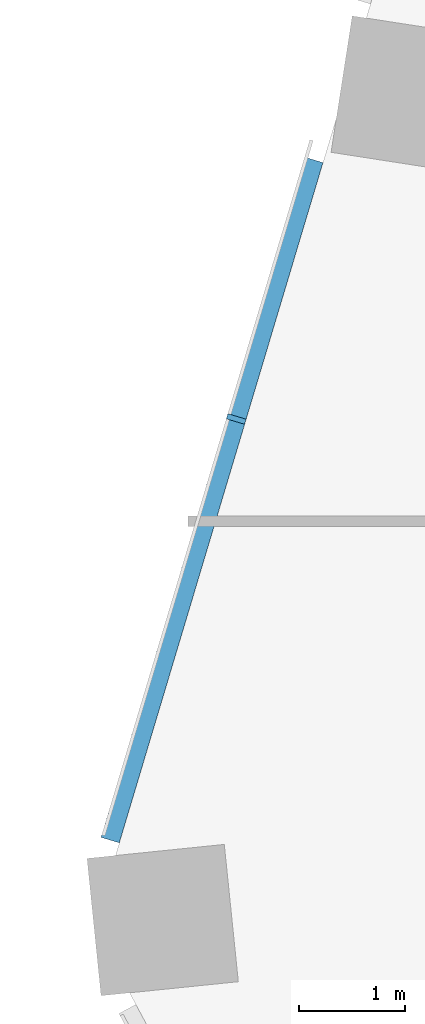
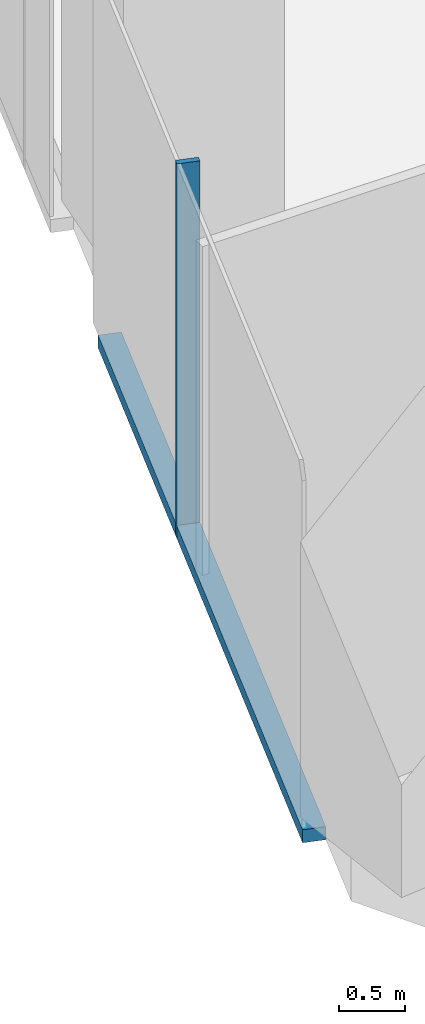
# One storey, part 7 of 34: 2 members, 1 element without a shape of its own.
"""IFC4 building model written with IfcOpenShell, lengths in metres."""

from ifc_helpers import new_model, si_unit, direction, frame, origin, origin_2d, place, context, subcontext, project, spatial, rectangle, extrude, material, material_profile, profile_set, type_object, element, aggregate, save


model = new_model("IFC4")

# Units and contexts
model_context = context("Model", 3, precision=1e-05, world=origin(), true_north=direction((0.0, 1.0)))
body_context = subcontext(model_context, "Body", "Model", "MODEL_VIEW")
ifc_project = project(units=[si_unit("LENGTHUNIT", "METRE"), si_unit("AREAUNIT", "SQUARE_METRE"), si_unit("VOLUMEUNIT", "CUBIC_METRE"), si_unit("PLANEANGLEUNIT", "RADIAN"), si_unit("MASSUNIT", "GRAM", prefix="KILO")], contexts=[model_context])

# Site, building, storey
site_placement = place(None, origin())
site = spatial("IfcSite", under=ifc_project, at=site_placement, CompositionType="ELEMENT")
building_placement = place(site_placement, origin())
building = spatial("IfcBuilding", under=site, at=building_placement, Name="Orlundy Tower", CompositionType="ELEMENT")
storey_placement = place(building_placement, frame((0.0, 0.0, 134.199951171875)))
storey = spatial("IfcBuildingStorey", under=building, at=storey_placement, Name="L34", CompositionType="ELEMENT", Elevation=134.199951171875)

# Curtain wall, members
ifc_material_1 = material(Name="Aluminium bronze anodised", Category="aluminium")
curtain_wall_type = type_object("IfcCurtainWallType", Name="CW1 wall", PredefinedType="NOTDEFINED", material=ifc_material_1)
curtain_wall_placement = place(storey_placement, origin())
curtain_wall = element("IfcCurtainWall", 1, at=curtain_wall_placement, inside=storey, type_object=curtain_wall_type, Name="CW1 run 02", PredefinedType="NOTDEFINED")
ifc_material_2 = material(Name="Aluminium bronze anodised", Category="aluminium")
ifc_material_profile_1 = material_profile(ifc_material_2, rectangle(XDim=0.179931640625, YDim=0.050048828125, at=origin_2d()), Name="CW1 mullion 50x180")
ifc_profile_set_1 = profile_set([ifc_material_profile_1], Name="Aluminium bronze anodised")
member_type_1 = type_object("IfcMemberType", Name="CW1 mullion 50x180", PredefinedType="MULLION", material=ifc_profile_set_1)
member_1_placement = place(storey_placement, frame((-30.964599609375, 1.4873046875, -0.39990234375), z_axis=(0.0, 0.0, 1.0), x_axis=(-0.957985612971, 0.286816257107, 0.0)))
member_1 = element("IfcMember", 2, at=member_1_placement, type_object=member_type_1, Name="CW1 mullion 10", PredefinedType="MULLION", context=body_context, shape_type="SweptSolid", body=[
    extrude(rectangle(XDim=0.179931640625, YDim=0.050048828125, at=origin_2d()), origin(), (0.0, 0.0, 1.0), 3.449951171875),
])
ifc_material_3 = material(Name="Aluminium bronze anodised", Category="aluminium")
ifc_material_profile_2 = material_profile(ifc_material_3, rectangle(XDim=0.179931640625, YDim=0.1201171875, at=origin_2d()), Name="CW1 transom 180x120")
ifc_profile_set_2 = profile_set([ifc_material_profile_2], Name="Aluminium bronze anodised")
member_type_2 = type_object("IfcMemberType", Name="CW1 transom 180x120", PredefinedType="USERDEFINED", material=ifc_profile_set_2)
member_2_placement = place(storey_placement, frame((-32.152587890625, -2.48046875, -0.33984375), z_axis=(0.286825574838, 0.957982823238, 0.0), x_axis=(-0.957982823238, 0.286825574838, 0.0)))
member_2 = element("IfcMember", 3, at=member_2_placement, type_object=member_type_2, Name="CW1 transom", ObjectType="TRANSOM", PredefinedType="USERDEFINED", context=body_context, shape_type="SweptSolid", body=[
    extrude(rectangle(XDim=0.179931640625, YDim=0.1201171875, at=origin_2d()), origin(), (0.0, 0.0, 1.0), 6.690185546875),
])
aggregate(curtain_wall, [member_1, member_2])

save(model, "model.ifc")
